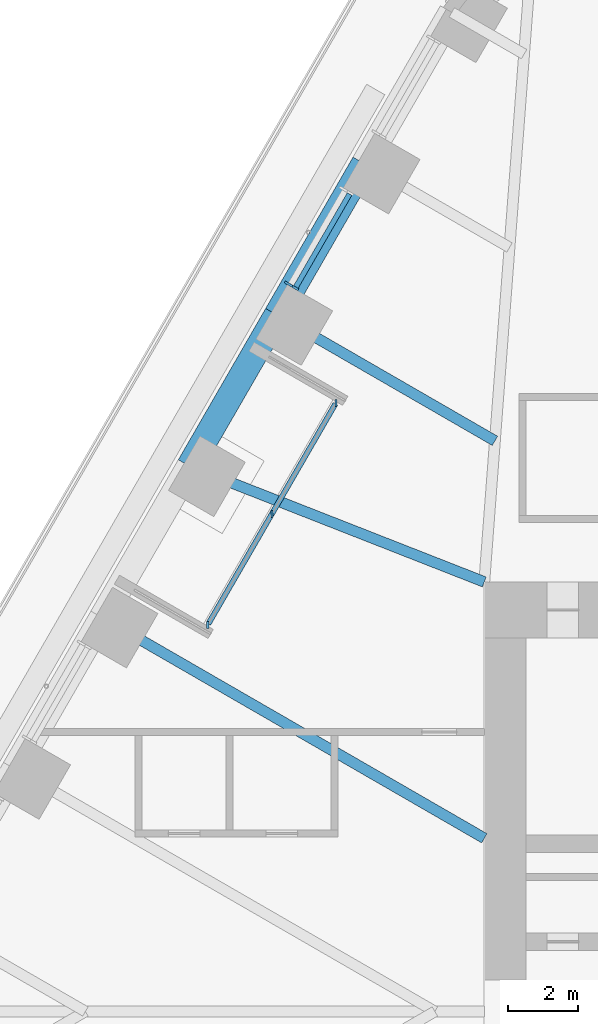
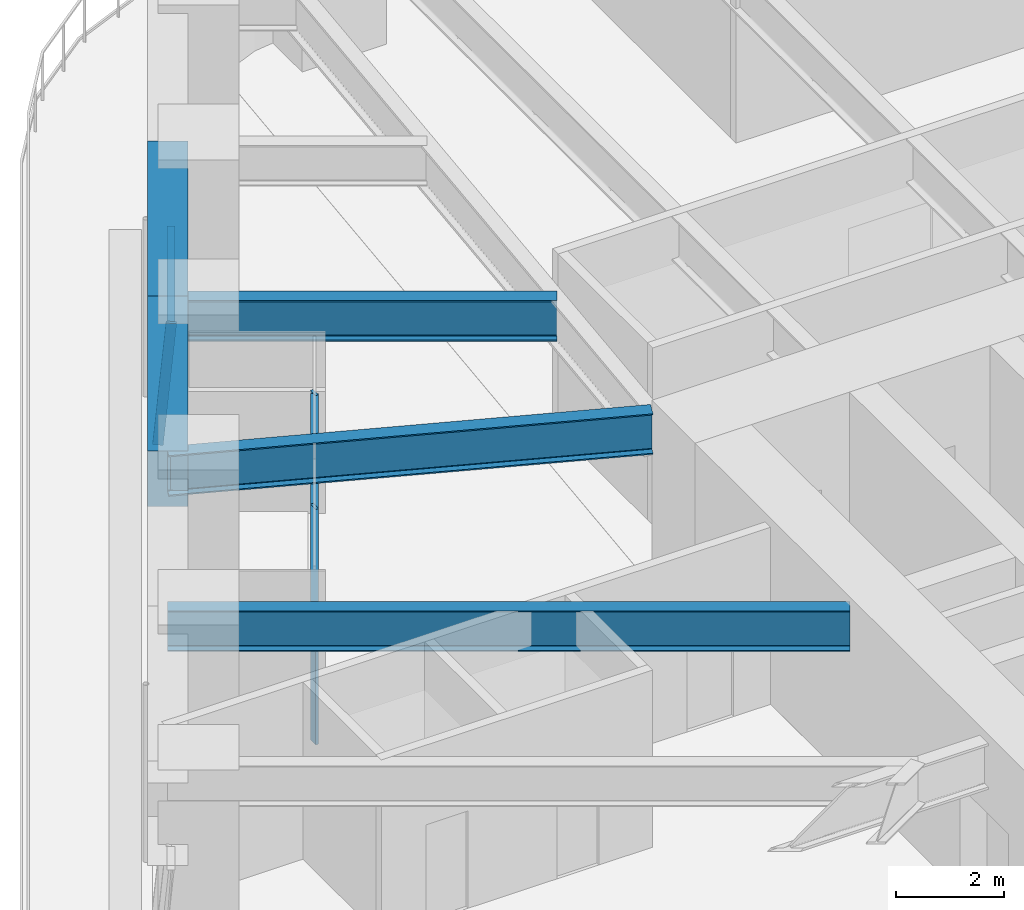
# One storey, part 8 of 24: 6 members, 5 beams, 2 elements without a shape of their own.
"""IFC4 building model written with IfcOpenShell, lengths in metres."""

from ifc_helpers import new_model, si_unit, direction, frame, origin, origin_2d, place, context, subcontext, project, spatial, rectangle, i_section, extrude, material, material_profile, profile_set, type_object, element, aggregate, save


model = new_model("IFC4")

# Units and contexts
model_context = context("Model", 3, precision=1e-05, world=origin(), true_north=direction((0.0, 1.0)))
body_context = subcontext(model_context, "Body", "Model", "MODEL_VIEW")
ifc_project = project(units=[si_unit("LENGTHUNIT", "METRE"), si_unit("AREAUNIT", "SQUARE_METRE"), si_unit("VOLUMEUNIT", "CUBIC_METRE"), si_unit("PLANEANGLEUNIT", "RADIAN"), si_unit("MASSUNIT", "GRAM", prefix="KILO")], contexts=[model_context])

# Site, building, storey
site_placement = place(None, origin())
site = spatial("IfcSite", under=ifc_project, at=site_placement, CompositionType="ELEMENT")
building_placement = place(site_placement, origin())
building = spatial("IfcBuilding", under=site, at=building_placement, Name="Tarfa Lantern Tower", CompositionType="ELEMENT")
storey_placement = place(building_placement, frame((0.0, 0.0, 136.300048828125)))
storey = spatial("IfcBuildingStorey", under=building, at=storey_placement, Name="L30", CompositionType="ELEMENT", Elevation=136.300048828125)

# Curtain wall, member
ifc_material_1 = material(Name="Aluminium framed curtain wall", Category="aluminium")
curtain_wall_type_1 = type_object("IfcCurtainWallType", Name="CW2 CANTED GLAZING MID ZONE 2750", PredefinedType="USERDEFINED", material=ifc_material_1)
curtain_wall_1_placement = place(storey_placement, origin())
curtain_wall_1 = element("IfcCurtainWall", 1, at=curtain_wall_1_placement, inside=storey, type_object=curtain_wall_type_1, Name="CW2 NW L30", ObjectType="CURTAIN WALL", PredefinedType="USERDEFINED")
ifc_material_2 = material(Name="Aluminium mullion", Category="aluminium")
ifc_material_profile_1 = material_profile(ifc_material_2, rectangle(XDim=0.06494140625, YDim=0.199951171875, at=origin_2d()), Name="AL MULLION 65x200")
ifc_profile_set_1 = profile_set([ifc_material_profile_1], Name="Aluminium mullion")
member_type_1 = type_object("IfcMemberType", Name="CWM1 MULLION 65x200", PredefinedType="MULLION", material=ifc_profile_set_1)
member_1_placement = place(storey_placement, frame((-24.22509765625, 20.8408203125, 0.0), z_axis=(0.078422950161, -0.045267813396, 0.995891894715), x_axis=(0.499919672301, 0.866071776036, 0.0)))
member_1 = element("IfcMember", 2, at=member_1_placement, type_object=member_type_1, Name="CW2 mullion 2", PredefinedType="MULLION", context=body_context, shape_type="SweptSolid", body=[
    extrude(rectangle(XDim=0.06494140625, YDim=0.199951171875, at=origin_2d()), origin(), (0.0, 0.0, 1.0), 2.76123046875),
])

# Curtain wall, members
curtain_wall_type_2 = type_object("IfcCurtainWallType", Name="CW10 LOGGIA GLAZING 2750", PredefinedType="USERDEFINED", material=ifc_material_1)
curtain_wall_2_placement = place(storey_placement, origin())
curtain_wall_2 = element("IfcCurtainWall", 3, at=curtain_wall_2_placement, inside=storey, type_object=curtain_wall_type_2, Name="CW10 NWL L30", ObjectType="CURTAIN WALL", PredefinedType="USERDEFINED")
member_2_placement = place(storey_placement, frame((-22.84619140625, 17.429443359375, 0.0), z_axis=(0.0, 0.0, 1.0), x_axis=(1.0, 0.0, 0.0)))
member_2 = element("IfcMember", 4, at=member_2_placement, type_object=member_type_1, Name="CW10 mullion 1", PredefinedType="MULLION", context=body_context, shape_type="SweptSolid", body=[
    extrude(rectangle(XDim=0.06494140625, YDim=0.199951171875, at=origin_2d()), origin(), (0.0, 0.0, 1.0), 2.75),
])
member_3_placement = place(storey_placement, frame((-24.681640625, 14.25, 0.0), z_axis=(0.0, 0.0, 1.0), x_axis=(1.0, 0.0, 0.0)))
member_3 = element("IfcMember", 5, at=member_3_placement, type_object=member_type_1, Name="CW10 mullion 2", PredefinedType="MULLION", context=body_context, shape_type="SweptSolid", body=[
    extrude(rectangle(XDim=0.06494140625, YDim=0.199951171875, at=origin_2d()), origin(), (0.0, 0.0, 1.0), 2.75),
])
member_4_placement = place(storey_placement, frame((-26.517333984375, 11.070556640625, 0.0), z_axis=(0.0, 0.0, 1.0), x_axis=(1.0, 0.0, 0.0)))
member_4 = element("IfcMember", 6, at=member_4_placement, type_object=member_type_1, Name="CW10 mullion 3", PredefinedType="MULLION", context=body_context, shape_type="SweptSolid", body=[
    extrude(rectangle(XDim=0.06494140625, YDim=0.199951171875, at=origin_2d()), origin(), (0.0, 0.0, 1.0), 2.75),
])

# Member
ifc_material_3 = material(Name="Aluminium transom", Category="aluminium")
ifc_material_profile_2 = material_profile(ifc_material_3, rectangle(XDim=0.14990234375, YDim=0.06494140625, at=origin_2d()), Name="AL TRANSOM 150x65")
ifc_profile_set_2 = profile_set([ifc_material_profile_2], Name="Aluminium transom")
member_type_2 = type_object("IfcMemberType", Name="CWT1 TRANSOM 150x65", PredefinedType="USERDEFINED", material=ifc_profile_set_2)
member_5_placement = place(storey_placement, frame((-22.4580078125, 23.407470703125, 2.717529296875), z_axis=(-0.500008936691, -0.866020244122, 0.0), x_axis=(0.866020244122, -0.500008936691, 0.0)))
member_5 = element("IfcMember", 7, at=member_5_placement, type_object=member_type_2, Name="CW2 transom 1.2", ObjectType="TRANSOM", PredefinedType="USERDEFINED", context=body_context, shape_type="SweptSolid", body=[
    extrude(rectangle(XDim=0.14990234375, YDim=0.06494140625, at=origin_2d()), origin(), (0.0, 0.0, 1.0), 3.07373046875),
])

aggregate(curtain_wall_1, [member_1, member_5])

member_6_placement = place(storey_placement, frame((-22.8623046875, 17.401123046875, 2.717529296875), z_axis=(-0.500007048974, -0.866021334019, 0.0), x_axis=(0.866021334019, -0.500007048974, 0.0)))
member_6 = element("IfcMember", 8, at=member_6_placement, type_object=member_type_2, Name="CW10 transom 1.2", ObjectType="TRANSOM", PredefinedType="USERDEFINED", context=body_context, shape_type="SweptSolid", body=[
    extrude(rectangle(XDim=0.14990234375, YDim=0.06494140625, at=origin_2d()), origin(), (0.0, 0.0, 1.0), 7.27734375),
])

aggregate(curtain_wall_2, [member_2, member_3, member_4, member_6])

# Beams
ifc_material_4 = material(Name="Concrete C80/95", Category="concrete")
ifc_material_profile_3 = material_profile(ifc_material_4, rectangle(XDim=0.75, YDim=1.25, at=origin_2d()), Name="RC 750x1250")
ifc_profile_set_3 = profile_set([ifc_material_profile_3], Name="Concrete C80/95")
beam_type_1 = type_object("IfcBeamType", Name="EB2 RC 750x1250", PredefinedType="SPANDREL", material=ifc_profile_set_3)
for number, where, z_axis, x_axis, name in (
    (9, (-22.03369140625, 24.276611328125, 3.375), (-0.49998573051, -0.866033642122, 0.0), (0.866033642122, -0.49998573051, 0.0), "Edge beam NW1"),
    (10, (-24.535400390625, 19.943359375, 3.375), (-0.500022324899, -0.866012514114, 0.0), (0.866012514114, -0.500022324899, 0.0), "Edge beam NW2"),
):
    element("IfcBeam", number, at=place(storey_placement, frame(where, z_axis=z_axis, x_axis=x_axis)), inside=storey, type_object=beam_type_1, Name=name, PredefinedType="SPANDREL", context=body_context, shape_type="SweptSolid", body=[
        extrude(rectangle(XDim=0.75, YDim=1.25, at=origin_2d()), origin(), (0.0, 0.0, 1.0), 5.003662109375),
    ])
ifc_material_5 = material(Name="Steel S460M", Category="steel")
ifc_material_profile_4 = material_profile(ifc_material_5, i_section(OverallWidth=0.305419921875, OverallDepth=0.91845703125, WebThickness=0.017333984375, FlangeThickness=0.02783203125, FilletRadius=0.01904296875, at=origin_2d()), Name="UB914x305x253")
ifc_profile_set_4 = profile_set([ifc_material_profile_4], Name="Steel S460M")
beam_type_2 = type_object("IfcBeamType", Name="UB914x305x253", PredefinedType="BEAM", material=ifc_profile_set_4)
beam_1_placement = place(storey_placement, frame((-24.535400390625, 19.943359375, 3.540771484375), z_axis=(0.86602647304, -0.499998147991, 0.0), x_axis=(0.499998147991, 0.86602647304, 0.0)))
element("IfcBeam", 11, at=beam_1_placement, inside=storey, type_object=beam_type_2, Name="Floor beam NW2", PredefinedType="BEAM", context=body_context, shape_type="SweptSolid", body=[
    extrude(i_section(OverallWidth=0.305419921875, OverallDepth=0.91845703125, WebThickness=0.017333984375, FlangeThickness=0.02783203125, FilletRadius=0.01904296875, at=origin_2d()), origin(), (0.0, 0.0, 1.0), 7.20556640625),
])
beam_2_placement = place(storey_placement, frame((-27.037353515625, 15.610107421875, 3.540771484375), z_axis=(0.930923282782, -0.365214788274, 0.0), x_axis=(0.365214788274, 0.930923282782, 0.0)))
element("IfcBeam", 12, at=beam_2_placement, inside=storey, type_object=beam_type_2, Name="Floor beam NW3", PredefinedType="BEAM", context=body_context, shape_type="SweptSolid", body=[
    extrude(i_section(OverallWidth=0.305419921875, OverallDepth=0.91845703125, WebThickness=0.017333984375, FlangeThickness=0.02783203125, FilletRadius=0.01904296875, at=origin_2d()), origin(), (0.0, 0.0, 1.0), 9.063232421875),
])
beam_3_placement = place(storey_placement, frame((-29.5390625, 11.276611328125, 3.540771484375), z_axis=(0.866023362995, -0.500003534735, 0.0), x_axis=(0.500003534735, 0.866023362995, 0.0)))
element("IfcBeam", 13, at=beam_3_placement, inside=storey, type_object=beam_type_2, Name="Floor beam NW4", PredefinedType="BEAM", context=body_context, shape_type="SweptSolid", body=[
    extrude(i_section(OverallWidth=0.305419921875, OverallDepth=0.91845703125, WebThickness=0.017333984375, FlangeThickness=0.02783203125, FilletRadius=0.01904296875, at=origin_2d()), origin(), (0.0, 0.0, 1.0), 12.63134765625),
])

save(model, "model.ifc")
